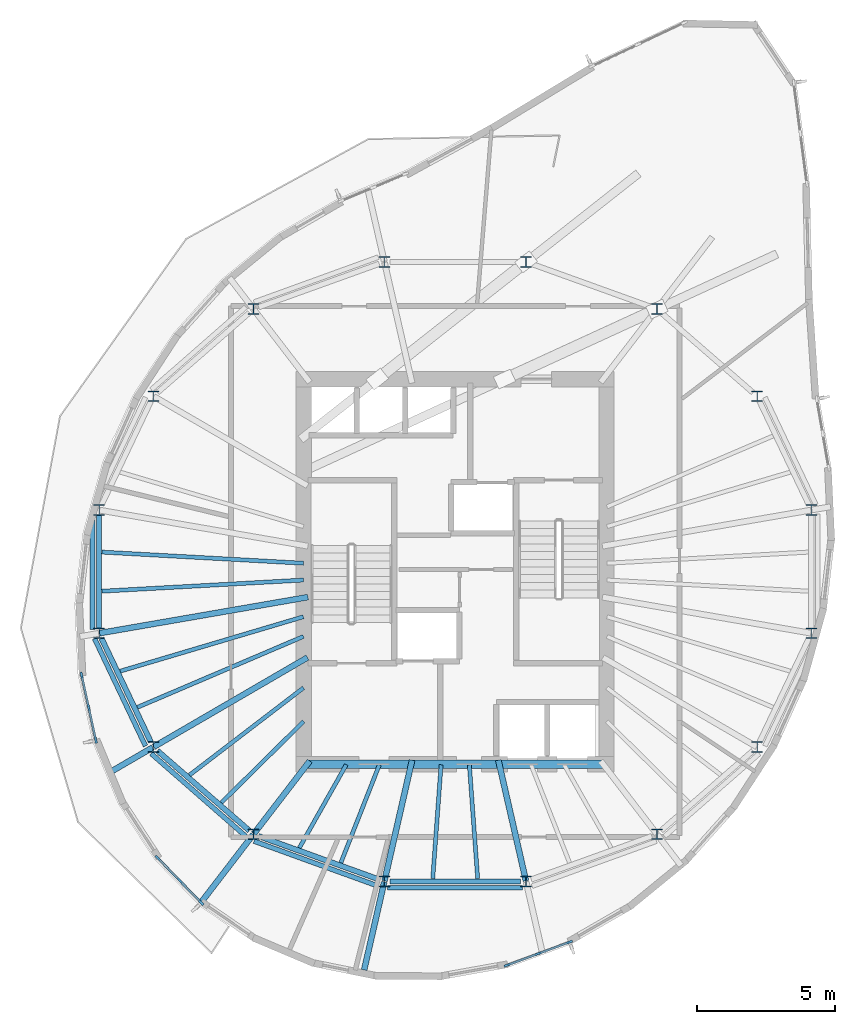
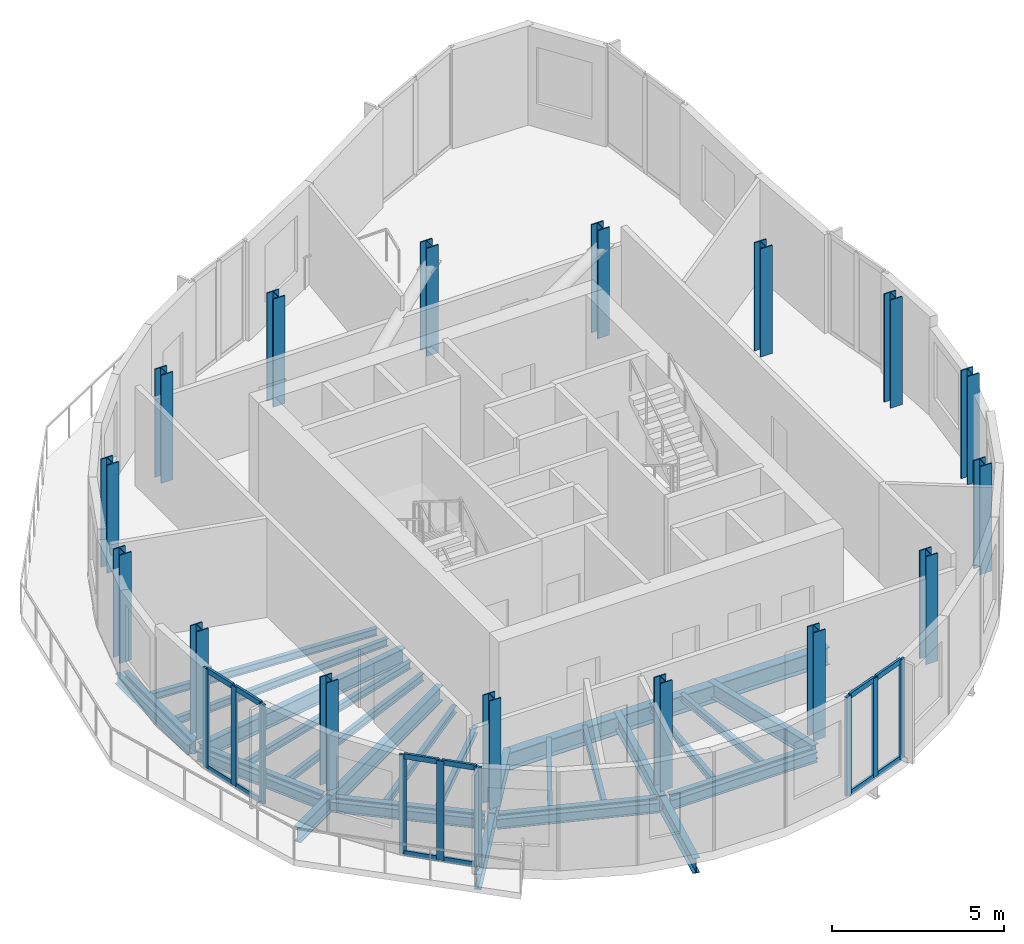
# One storey, part 1 of 8: 29 beams, 21 members, 16 columns, 3 elements without a shape of their own.
"""IFC4 building model written with IfcOpenShell, lengths in metres."""

from ifc_helpers import new_model, si_unit, direction, frame, origin, origin_2d, place, context, subcontext, project, spatial, rectangle, i_section, extrude, material, material_profile, profile_set, type_object, element, aggregate, save


model = new_model("IFC4")

# Units and contexts
model_context = context("Model", 3, precision=1e-05, world=origin(), true_north=direction((0.0, 1.0)))
body_context = subcontext(model_context, "Body", "Model", "MODEL_VIEW")
ifc_project = project(units=[si_unit("LENGTHUNIT", "METRE"), si_unit("AREAUNIT", "SQUARE_METRE"), si_unit("VOLUMEUNIT", "CUBIC_METRE"), si_unit("PLANEANGLEUNIT", "RADIAN"), si_unit("MASSUNIT", "GRAM", prefix="KILO")], contexts=[model_context])

# Site, building, storey
site_placement = place(None, origin())
site = spatial("IfcSite", under=ifc_project, at=site_placement, CompositionType="ELEMENT")
building_placement = place(site_placement, origin())
building = spatial("IfcBuilding", under=site, at=building_placement, Name="Veldorim Arch Residences", CompositionType="ELEMENT")
storey_placement = place(building_placement, frame((0.0, 0.0, 243.0400390625)))
storey = spatial("IfcBuildingStorey", under=building, at=storey_placement, Name="L73", CompositionType="ELEMENT", Elevation=243.0400390625)

# Columns
ifc_material_1 = material(Name="Steel S460", Category="steel")
ifc_material_profile_1 = material_profile(ifc_material_1, i_section(OverallWidth=0.39892578125, OverallDepth=0.3935546875, WebThickness=0.022705078125, FlangeThickness=0.03662109375, at=origin_2d()), Name="UC356x406x287")
ifc_profile_set_1 = profile_set([ifc_material_profile_1], Name="Steel S460")
column_type = type_object("IfcColumnType", Name="Structural Column UC356x406x287", PredefinedType="COLUMN", material=ifc_profile_set_1)
for number, where, z_axis, x_axis, name in (
    (1, (44.9462890625, 26.239501953125, 0.0), (0.0, 0.0, 1.0), (1.0, 0.0, 0.0), "L73 TC-Z4-01 perimeter column"),
    (2, (42.975341796875, 30.3779296875, 0.0), (0.0, 0.0, 1.0), (1.0, 0.0, 0.0), "L73 TC-Z4-02 perimeter column"),
    (3, (39.33349609375, 33.54541015625, 0.0), (0.0, 0.0, 1.0), (1.0, 0.0, 0.0), "L73 TC-Z4-03 perimeter column"),
    (4, (34.5751953125, 35.259521484375, 0.0), (0.0, 0.0, 1.0), (1.0, 0.0, 0.0), "L73 TC-Z4-04 perimeter column"),
    (5, (29.4248046875, 35.259521484375, 0.0), (0.0, 0.0, 1.0), (1.0, 0.0, 0.0), "L73 TC-Z4-05 perimeter column"),
    (6, (24.66650390625, 33.54541015625, 0.0), (0.0, 0.0, 1.0), (1.0, 0.0, 0.0), "L73 TC-Z4-06 perimeter column"),
    (7, (21.024658203125, 30.3779296875, 0.0), (0.0, 0.0, 1.0), (1.0, 0.0, 0.0), "L73 TC-Z4-07 perimeter column"),
    (8, (19.0537109375, 26.239501953125, 0.0), (0.0, 0.0, 1.0), (1.0, 0.0, 0.0), "L73 TC-Z4-08 perimeter column"),
    (9, (19.0537109375, 21.760498046875, 0.0), (0.0, 0.0, 1.0), (1.0, 0.0, 0.0), "L73 TC-Z4-09 perimeter column"),
    (10, (21.024658203125, 17.6220703125, 0.0), (0.0, 0.0, 1.0), (1.0, 0.0, 0.0), "L73 TC-Z4-10 perimeter column"),
    (11, (24.66650390625, 14.45458984375, 0.0), (0.0, 0.0, 1.0), (1.0, 0.0, 0.0), "L73 TC-Z4-11 perimeter column"),
    (12, (29.4248046875, 12.740478515625, 0.0), (0.0, 0.0, 1.0), (1.0, 0.0, 0.0), "L73 TC-Z4-12 perimeter column"),
    (13, (34.5751953125, 12.740478515625, 0.0), (0.0, 0.0, 1.0), (1.0, 0.0, 0.0), "L73 TC-Z4-13 perimeter column"),
    (14, (39.33349609375, 14.45458984375, 0.0), (0.0, 0.0, 1.0), (1.0, 0.0, 0.0), "L73 TC-Z4-14 perimeter column"),
    (15, (42.975341796875, 17.6220703125, 0.0), (0.0, 0.0, 1.0), (1.0, 0.0, 0.0), "L73 TC-Z4-15 perimeter column"),
    (16, (44.9462890625, 21.760498046875, 0.0), (0.0, 0.0, 1.0), (1.0, 0.0, 0.0), "L73 TC-Z4-16 perimeter column"),
):
    element("IfcColumn", number, at=place(storey_placement, frame(where, z_axis=z_axis, x_axis=x_axis)), inside=storey, type_object=column_type, Name=name, PredefinedType="COLUMN", context=body_context, shape_type="SweptSolid", body=[
        extrude(i_section(OverallWidth=0.39892578125, OverallDepth=0.3935546875, WebThickness=0.022705078125, FlangeThickness=0.03662109375, at=origin_2d()), origin(), (0.0, 0.0, 1.0), 3.83984375),
    ])

# Curtain wall, members
ifc_material_2 = material(Name="Aluminium", Category="aluminium")
curtain_wall_type = type_object("IfcCurtainWallType", Name="Sky Lounge & Conservatory Tall Curtain Wall", PredefinedType="NOTDEFINED", material=ifc_material_2)
curtain_wall_1_placement = place(storey_placement, origin())
curtain_wall_1 = element("IfcCurtainWall", 17, at=curtain_wall_1_placement, inside=storey, type_object=curtain_wall_type, Name="L73 unitised curtain wall bay 14", PredefinedType="NOTDEFINED")
ifc_material_3 = material(Name="Aluminium", Category="aluminium")
ifc_material_profile_2 = material_profile(ifc_material_3, rectangle(XDim=0.080078125, YDim=0.219970703125, at=origin_2d()), Name="ALU_MUL_80x220")
ifc_profile_set_2 = profile_set([ifc_material_profile_2], Name="Aluminium")
member_type_1 = type_object("IfcMemberType", Name="Sky Lounge & Conservatory Tall Curtain Wall Mullion 80x220", PredefinedType="MULLION", material=ifc_profile_set_2)
member_1_placement = place(storey_placement, frame((18.935546875, 17.871337890625, 0.0), z_axis=(0.0, 0.0, 1.0), x_axis=(-0.976954735349, -0.21344658601, 0.0)))
member_1 = element("IfcMember", 18, at=member_1_placement, type_object=member_type_1, Name="CW-SKY mullion 1", PredefinedType="MULLION", context=body_context, shape_type="SweptSolid", body=[
    extrude(rectangle(XDim=0.080078125, YDim=0.219970703125, at=origin_2d()), origin(), (0.0, 0.0, 1.0), 3.52001953125),
])
member_2_placement = place(storey_placement, frame((18.67724609375, 19.054443359375, 0.0), z_axis=(0.0, 0.0, 1.0), x_axis=(-0.976954735349, -0.21344658601, 0.0)))
member_2 = element("IfcMember", 19, at=member_2_placement, type_object=member_type_1, Name="CW-SKY mullion 2", PredefinedType="MULLION", context=body_context, shape_type="SweptSolid", body=[
    extrude(rectangle(XDim=0.080078125, YDim=0.219970703125, at=origin_2d()), origin(), (0.0, 0.0, 1.0), 3.52001953125),
])
member_3_placement = place(storey_placement, frame((18.418701171875, 20.23779296875, 0.0), z_axis=(0.0, 0.0, 1.0), x_axis=(-0.976954735349, -0.21344658601, 0.0)))
member_3 = element("IfcMember", 20, at=member_3_placement, type_object=member_type_1, Name="CW-SKY mullion 3", PredefinedType="MULLION", context=body_context, shape_type="SweptSolid", body=[
    extrude(rectangle(XDim=0.080078125, YDim=0.219970703125, at=origin_2d()), origin(), (0.0, 0.0, 1.0), 3.52001953125),
])

curtain_wall_2_placement = place(storey_placement, origin())
curtain_wall_2 = element("IfcCurtainWall", 21, at=curtain_wall_2_placement, inside=storey, type_object=curtain_wall_type, Name="L73 unitised curtain wall bay 17", PredefinedType="NOTDEFINED")
member_4_placement = place(storey_placement, frame((22.7666015625, 11.965087890625, 0.0), z_axis=(0.0, 0.0, 1.0), x_axis=(-0.717028638931, -0.697043708065, 0.0)))
member_4 = element("IfcMember", 22, at=member_4_placement, type_object=member_type_1, Name="CW-SKY mullion 1", PredefinedType="MULLION", context=body_context, shape_type="SweptSolid", body=[
    extrude(rectangle(XDim=0.080078125, YDim=0.219970703125, at=origin_2d()), origin(), (0.0, 0.0, 1.0), 3.52001953125),
])
member_5_placement = place(storey_placement, frame((21.976806640625, 12.77783203125, 0.0), z_axis=(0.0, 0.0, 1.0), x_axis=(-0.717028638931, -0.697043708065, 0.0)))
member_5 = element("IfcMember", 23, at=member_5_placement, type_object=member_type_1, Name="CW-SKY mullion 2", PredefinedType="MULLION", context=body_context, shape_type="SweptSolid", body=[
    extrude(rectangle(XDim=0.080078125, YDim=0.219970703125, at=origin_2d()), origin(), (0.0, 0.0, 1.0), 3.52001953125),
])
member_6_placement = place(storey_placement, frame((21.186767578125, 13.590576171875, 0.0), z_axis=(0.0, 0.0, 1.0), x_axis=(-0.717028638931, -0.697043708065, 0.0)))
member_6 = element("IfcMember", 24, at=member_6_placement, type_object=member_type_1, Name="CW-SKY mullion 3", PredefinedType="MULLION", context=body_context, shape_type="SweptSolid", body=[
    extrude(rectangle(XDim=0.080078125, YDim=0.219970703125, at=origin_2d()), origin(), (0.0, 0.0, 1.0), 3.52001953125),
])

curtain_wall_3_placement = place(storey_placement, origin())
curtain_wall_3 = element("IfcCurtainWall", 25, at=curtain_wall_3_placement, inside=storey, type_object=curtain_wall_type, Name="L73 unitised curtain wall bay 23", PredefinedType="NOTDEFINED")
member_7_placement = place(storey_placement, frame((36.1572265625, 10.5341796875, 0.0), z_axis=(0.0, 0.0, 1.0), x_axis=(0.347169872801, -0.937802260298, 0.0)))
member_7 = element("IfcMember", 26, at=member_7_placement, type_object=member_type_1, Name="CW-SKY mullion 1", PredefinedType="MULLION", context=body_context, shape_type="SweptSolid", body=[
    extrude(rectangle(XDim=0.080078125, YDim=0.219970703125, at=origin_2d()), origin(), (0.0, 0.0, 1.0), 3.52001953125),
])
member_8_placement = place(storey_placement, frame((35.021484375, 10.11376953125, 0.0), z_axis=(0.0, 0.0, 1.0), x_axis=(0.347169872801, -0.937802260298, 0.0)))
member_8 = element("IfcMember", 27, at=member_8_placement, type_object=member_type_1, Name="CW-SKY mullion 2", PredefinedType="MULLION", context=body_context, shape_type="SweptSolid", body=[
    extrude(rectangle(XDim=0.080078125, YDim=0.219970703125, at=origin_2d()), origin(), (0.0, 0.0, 1.0), 3.52001953125),
])
member_9_placement = place(storey_placement, frame((33.885498046875, 9.693359375, 0.0), z_axis=(0.0, 0.0, 1.0), x_axis=(0.347169872801, -0.937802260298, 0.0)))
member_9 = element("IfcMember", 28, at=member_9_placement, type_object=member_type_1, Name="CW-SKY mullion 3", PredefinedType="MULLION", context=body_context, shape_type="SweptSolid", body=[
    extrude(rectangle(XDim=0.080078125, YDim=0.219970703125, at=origin_2d()), origin(), (0.0, 0.0, 1.0), 3.52001953125),
])

# Member
ifc_material_4 = material(Name="Aluminium", Category="aluminium")
ifc_material_profile_3 = material_profile(ifc_material_4, rectangle(XDim=0.080078125, YDim=0.18505859375, at=origin_2d()), Name="ALU_TRN_80x185")
ifc_profile_set_3 = profile_set([ifc_material_profile_3], Name="Aluminium")
member_type_2 = type_object("IfcMemberType", Name="Sky Lounge & Conservatory Tall Curtain Wall Transom 80x185", PredefinedType="USERDEFINED", material=ifc_profile_set_3)
member_10_placement = place(storey_placement, frame((18.92724609375, 17.910400390625, 0.0400390625), z_axis=(-0.213478003555, 0.976947870666, 0.0), x_axis=(-0.976947870666, -0.213478003555, 0.0)))
member_10 = element("IfcMember", 29, at=member_10_placement, type_object=member_type_2, Name="CW-SKY transom 1.1", ObjectType="TRANSOM", PredefinedType="USERDEFINED", context=body_context, shape_type="SweptSolid", body=[
    extrude(rectangle(XDim=0.080078125, YDim=0.18505859375, at=origin_2d()), origin(), (0.0, 0.0, 1.0), 1.131103515625),
])

member_11_placement = place(storey_placement, frame((18.92724609375, 17.910400390625, 3.47998046875), z_axis=(-0.213478003555, 0.976947870666, 0.0), x_axis=(-0.976947870666, -0.213478003555, 0.0)))
member_11 = element("IfcMember", 30, at=member_11_placement, type_object=member_type_2, Name="CW-SKY transom 1.2", ObjectType="TRANSOM", PredefinedType="USERDEFINED", context=body_context, shape_type="SweptSolid", body=[
    extrude(rectangle(XDim=0.080078125, YDim=0.18505859375, at=origin_2d()), origin(), (0.0, 0.0, 1.0), 1.131103515625),
])

member_12_placement = place(storey_placement, frame((18.668701171875, 19.093505859375, 0.0400390625), z_axis=(-0.21343299532, 0.976957704565, 0.0), x_axis=(-0.976957704565, -0.21343299532, 0.0)))
member_12 = element("IfcMember", 31, at=member_12_placement, type_object=member_type_2, Name="CW-SKY transom 2.1", ObjectType="TRANSOM", PredefinedType="USERDEFINED", context=body_context, shape_type="SweptSolid", body=[
    extrude(rectangle(XDim=0.080078125, YDim=0.18505859375, at=origin_2d()), origin(), (0.0, 0.0, 1.0), 1.13134765625),
])

member_13_placement = place(storey_placement, frame((18.668701171875, 19.093505859375, 3.47998046875), z_axis=(-0.21343299532, 0.976957704565, 0.0), x_axis=(-0.976957704565, -0.21343299532, 0.0)))
member_13 = element("IfcMember", 32, at=member_13_placement, type_object=member_type_2, Name="CW-SKY transom 2.2", ObjectType="TRANSOM", PredefinedType="USERDEFINED", context=body_context, shape_type="SweptSolid", body=[
    extrude(rectangle(XDim=0.080078125, YDim=0.18505859375, at=origin_2d()), origin(), (0.0, 0.0, 1.0), 1.13134765625),
])

aggregate(curtain_wall_1, [member_1, member_2, member_3, member_10, member_11, member_12, member_13])

member_14_placement = place(storey_placement, frame((22.73876953125, 11.993896484375, 0.0400390625), z_axis=(-0.696952610826, 0.717117185865, 0.0), x_axis=(-0.717117185865, -0.696952610826, 0.0)))
member_14 = element("IfcMember", 33, at=member_14_placement, type_object=member_type_2, Name="CW-SKY transom 1.1", ObjectType="TRANSOM", PredefinedType="USERDEFINED", context=body_context, shape_type="SweptSolid", body=[
    extrude(rectangle(XDim=0.080078125, YDim=0.18505859375, at=origin_2d()), origin(), (0.0, 0.0, 1.0), 1.05322265625),
])

member_15_placement = place(storey_placement, frame((22.73876953125, 11.993896484375, 3.47998046875), z_axis=(-0.696952610826, 0.717117185865, 0.0), x_axis=(-0.717117185865, -0.696952610826, 0.0)))
member_15 = element("IfcMember", 34, at=member_15_placement, type_object=member_type_2, Name="CW-SKY transom 1.2", ObjectType="TRANSOM", PredefinedType="USERDEFINED", context=body_context, shape_type="SweptSolid", body=[
    extrude(rectangle(XDim=0.080078125, YDim=0.18505859375, at=origin_2d()), origin(), (0.0, 0.0, 1.0), 1.05322265625),
])

member_16_placement = place(storey_placement, frame((21.94873046875, 12.806640625, 0.0400390625), z_axis=(-0.697068462226, 0.717004573883, 0.0), x_axis=(-0.717004573883, -0.697068462226, 0.0)))
member_16 = element("IfcMember", 35, at=member_16_placement, type_object=member_type_2, Name="CW-SKY transom 2.1", ObjectType="TRANSOM", PredefinedType="USERDEFINED", context=body_context, shape_type="SweptSolid", body=[
    extrude(rectangle(XDim=0.080078125, YDim=0.18505859375, at=origin_2d()), origin(), (0.0, 0.0, 1.0), 1.05322265625),
])

member_17_placement = place(storey_placement, frame((21.94873046875, 12.806640625, 3.47998046875), z_axis=(-0.697068462226, 0.717004573883, 0.0), x_axis=(-0.717004573883, -0.697068462226, 0.0)))
member_17 = element("IfcMember", 36, at=member_17_placement, type_object=member_type_2, Name="CW-SKY transom 2.2", ObjectType="TRANSOM", PredefinedType="USERDEFINED", context=body_context, shape_type="SweptSolid", body=[
    extrude(rectangle(XDim=0.080078125, YDim=0.18505859375, at=origin_2d()), origin(), (0.0, 0.0, 1.0), 1.05322265625),
])

aggregate(curtain_wall_2, [member_4, member_5, member_6, member_14, member_15, member_16, member_17])

member_18_placement = place(storey_placement, frame((36.11962890625, 10.520263671875, 0.0400390625), z_axis=(-0.937837254479, -0.34707532916, 0.0), x_axis=(0.34707532916, -0.937837254479, 0.0)))
member_18 = element("IfcMember", 37, at=member_18_placement, type_object=member_type_2, Name="CW-SKY transom 1.1", ObjectType="TRANSOM", PredefinedType="USERDEFINED", context=body_context, shape_type="SweptSolid", body=[
    extrude(rectangle(XDim=0.080078125, YDim=0.18505859375, at=origin_2d()), origin(), (0.0, 0.0, 1.0), 1.131103515625),
])

member_19_placement = place(storey_placement, frame((36.11962890625, 10.520263671875, 3.47998046875), z_axis=(-0.937837254479, -0.34707532916, 0.0), x_axis=(0.34707532916, -0.937837254479, 0.0)))
member_19 = element("IfcMember", 38, at=member_19_placement, type_object=member_type_2, Name="CW-SKY transom 1.2", ObjectType="TRANSOM", PredefinedType="USERDEFINED", context=body_context, shape_type="SweptSolid", body=[
    extrude(rectangle(XDim=0.080078125, YDim=0.18505859375, at=origin_2d()), origin(), (0.0, 0.0, 1.0), 1.131103515625),
])

member_20_placement = place(storey_placement, frame((34.98388671875, 10.099853515625, 0.0400390625), z_axis=(-0.937837254479, -0.34707532916, 0.0), x_axis=(0.34707532916, -0.937837254479, 0.0)))
member_20 = element("IfcMember", 39, at=member_20_placement, type_object=member_type_2, Name="CW-SKY transom 2.1", ObjectType="TRANSOM", PredefinedType="USERDEFINED", context=body_context, shape_type="SweptSolid", body=[
    extrude(rectangle(XDim=0.080078125, YDim=0.18505859375, at=origin_2d()), origin(), (0.0, 0.0, 1.0), 1.131103515625),
])

member_21_placement = place(storey_placement, frame((34.98388671875, 10.099853515625, 3.47998046875), z_axis=(-0.937837254479, -0.34707532916, 0.0), x_axis=(0.34707532916, -0.937837254479, 0.0)))
member_21 = element("IfcMember", 40, at=member_21_placement, type_object=member_type_2, Name="CW-SKY transom 2.2", ObjectType="TRANSOM", PredefinedType="USERDEFINED", context=body_context, shape_type="SweptSolid", body=[
    extrude(rectangle(XDim=0.080078125, YDim=0.18505859375, at=origin_2d()), origin(), (0.0, 0.0, 1.0), 1.131103515625),
])

aggregate(curtain_wall_3, [member_7, member_8, member_9, member_18, member_19, member_20, member_21])

# Beams
ifc_material_5 = material(Name="Steel S355", Category="steel")
ifc_material_profile_4 = material_profile(ifc_material_5, i_section(OverallWidth=0.2119140625, OverallDepth=0.54443359375, WebThickness=0.0126953125, FlangeThickness=0.021240234375, at=origin_2d()), Name="UB533x210x122")
ifc_profile_set_4 = profile_set([ifc_material_profile_4], Name="Steel S355")
beam_type_1 = type_object("IfcBeamType", Name="Structural Steel Beam UB533x210x122", PredefinedType="BEAM", material=ifc_profile_set_4)
beam_1_placement = place(storey_placement, frame((26.647705078125, 23.07421875, -0.59228515625), z_axis=(-0.985364974081, -0.170457818401, 0.0), x_axis=(0.170457818401, -0.985364974081, 0.0)))
element("IfcBeam", 41, at=beam_1_placement, inside=storey, type_object=beam_type_1, Name="L73 radial floor girder 09", PredefinedType="BEAM", context=body_context, shape_type="SweptSolid", body=[
    extrude(i_section(OverallWidth=0.2119140625, OverallDepth=0.54443359375, WebThickness=0.0126953125, FlangeThickness=0.021240234375, at=origin_2d()), origin(), (0.0, 0.0, 1.0), 7.68701171875),
])
beam_2_placement = place(storey_placement, frame((26.629638671875, 20.87939453125, -0.59228515625), z_axis=(-0.864595736304, -0.502468121142, 0.0), x_axis=(0.502468121142, -0.864595736304, 0.0)))
element("IfcBeam", 42, at=beam_2_placement, inside=storey, type_object=beam_type_1, Name="L73 radial floor girder 10", PredefinedType="BEAM", context=body_context, shape_type="SweptSolid", body=[
    extrude(i_section(OverallWidth=0.2119140625, OverallDepth=0.54443359375, WebThickness=0.0126953125, FlangeThickness=0.021240234375, at=origin_2d()), origin(), (0.0, 0.0, 1.0), 6.462646484375),
])
beam_3_placement = place(storey_placement, frame((21.00732421875, 17.612060546875, -0.59228515625), z_axis=(-0.864620527987, -0.502425459729, 0.0), x_axis=(0.502425459729, -0.864620527987, 0.0)))
element("IfcBeam", 43, at=beam_3_placement, inside=storey, type_object=beam_type_1, Name="L73 radial edge cantilever girder 10", PredefinedType="BEAM", context=body_context, shape_type="SweptSolid", body=[
    extrude(i_section(OverallWidth=0.2119140625, OverallDepth=0.54443359375, WebThickness=0.0126953125, FlangeThickness=0.021240234375, at=origin_2d()), origin(), (0.0, 0.0, 1.0), 1.828125),
])
beam_4_placement = place(storey_placement, frame((26.71337890625, 17.118896484375, -0.59228515625), z_axis=(-0.609258442308, -0.792971721108, 0.0), x_axis=(0.792971721108, -0.609258442308, 0.0)))
element("IfcBeam", 44, at=beam_4_placement, inside=storey, type_object=beam_type_1, Name="L73 radial floor girder 11", PredefinedType="BEAM", context=body_context, shape_type="SweptSolid", body=[
    extrude(i_section(OverallWidth=0.2119140625, OverallDepth=0.54443359375, WebThickness=0.0126953125, FlangeThickness=0.021240234375, at=origin_2d()), origin(), (0.0, 0.0, 1.0), 3.339599609375),
])
beam_5_placement = place(storey_placement, frame((24.654296875, 14.438720703125, -0.59228515625), z_axis=(-0.609231230532, -0.7929926278, 0.0), x_axis=(0.7929926278, -0.609231230532, 0.0)))
element("IfcBeam", 45, at=beam_5_placement, inside=storey, type_object=beam_type_1, Name="L73 radial edge cantilever girder 11", PredefinedType="BEAM", context=body_context, shape_type="SweptSolid", body=[
    extrude(i_section(OverallWidth=0.2119140625, OverallDepth=0.54443359375, WebThickness=0.0126953125, FlangeThickness=0.021240234375, at=origin_2d()), origin(), (0.0, 0.0, 1.0), 3.100830078125),
])
beam_6_placement = place(storey_placement, frame((30.432373046875, 17.146240234375, -0.59228515625), z_axis=(-0.222952976993, -0.97482920045, 0.0), x_axis=(0.97482920045, -0.222952976993, 0.0)))
element("IfcBeam", 46, at=beam_6_placement, inside=storey, type_object=beam_type_1, Name="L73 radial floor girder 12", PredefinedType="BEAM", context=body_context, shape_type="SweptSolid", body=[
    extrude(i_section(OverallWidth=0.2119140625, OverallDepth=0.54443359375, WebThickness=0.0126953125, FlangeThickness=0.021240234375, at=origin_2d()), origin(), (0.0, 0.0, 1.0), 4.49951171875),
])
beam_7_placement = place(storey_placement, frame((29.42041015625, 12.72119140625, -0.59228515625), z_axis=(-0.222994562623, -0.974819688476, 0.0), x_axis=(0.974819688476, -0.222994562623, 0.0)))
element("IfcBeam", 47, at=beam_7_placement, inside=storey, type_object=beam_type_1, Name="L73 radial edge cantilever girder 12", PredefinedType="BEAM", context=body_context, shape_type="SweptSolid", body=[
    extrude(i_section(OverallWidth=0.2119140625, OverallDepth=0.54443359375, WebThickness=0.0126953125, FlangeThickness=0.021240234375, at=origin_2d()), origin(), (0.0, 0.0, 1.0), 3.280029296875),
])
beam_8_placement = place(storey_placement, frame((33.567626953125, 17.146240234375, -0.59228515625), z_axis=(0.222952976993, -0.97482920045, 0.0), x_axis=(0.97482920045, 0.222952976993, 0.0)))
element("IfcBeam", 48, at=beam_8_placement, inside=storey, type_object=beam_type_1, Name="L73 radial floor girder 13", PredefinedType="BEAM", context=body_context, shape_type="SweptSolid", body=[
    extrude(i_section(OverallWidth=0.2119140625, OverallDepth=0.54443359375, WebThickness=0.0126953125, FlangeThickness=0.021240234375, at=origin_2d()), origin(), (0.0, 0.0, 1.0), 4.49951171875),
])
ifc_material_6 = material(Name="Steel S355", Category="steel")
ifc_material_profile_5 = material_profile(ifc_material_6, i_section(OverallWidth=0.30712890625, OverallDepth=0.6201171875, WebThickness=0.01416015625, FlangeThickness=0.023681640625, at=origin_2d()), Name="UB610x305x179")
ifc_profile_set_5 = profile_set([ifc_material_profile_5], Name="Steel S355")
beam_type_2 = type_object("IfcBeamType", Name="Structural Steel Beam UB610x305x179", PredefinedType="BEAM", material=ifc_profile_set_5)
beam_9_placement = place(storey_placement, frame((26.60009765625, 17.0, -0.64013671875), z_axis=(1.0, 0.0, 0.0), x_axis=(0.0, 1.0, 0.0)))
element("IfcBeam", 49, at=beam_9_placement, inside=storey, type_object=beam_type_2, Name="Observation prow truss 1 core anchor bottom girder", PredefinedType="BEAM", context=body_context, shape_type="SweptSolid", body=[
    extrude(i_section(OverallWidth=0.30712890625, OverallDepth=0.6201171875, WebThickness=0.01416015625, FlangeThickness=0.023681640625, at=origin_2d()), origin(), (0.0, 0.0, 1.0), 10.7998046875),
])
ifc_material_7 = material(Name="Steel S355", Category="steel")
ifc_material_profile_6 = material_profile(ifc_material_7, i_section(OverallWidth=0.146484375, OverallDepth=0.256103515625, WebThickness=0.00634765625, FlangeThickness=0.010986328125, at=origin_2d()), Name="UB254x146x37")
ifc_profile_set_6 = profile_set([ifc_material_profile_6], Name="Steel S355")
beam_type_3 = type_object("IfcBeamType", Name="Structural Steel Joist UB254x146x37", PredefinedType="JOIST", material=ifc_profile_set_6)
for number, where, z_axis, x_axis, name in (
    (50, (26.47998046875, 24.3056640625, -0.447998046875), (-0.998472000884, 0.055259962464, 0.0), (-0.055259962464, -0.998472000884, 0.0), "L73 secondary radial floor joist 08-1"),
    (51, (26.47998046875, 23.6943359375, -0.447998046875), (-0.998472000884, -0.055259962464, 0.0), (0.055259962464, -0.998472000884, 0.0), "L73 secondary radial floor joist 08-2"),
):
    element("IfcBeam", number, at=place(storey_placement, frame(where, z_axis=z_axis, x_axis=x_axis)), inside=storey, type_object=beam_type_3, Name=name, PredefinedType="JOIST", context=body_context, shape_type="SweptSolid", body=[
        extrude(i_section(OverallWidth=0.146484375, OverallDepth=0.256103515625, WebThickness=0.00634765625, FlangeThickness=0.010986328125, at=origin_2d()), origin(), (0.0, 0.0, 1.0), 7.33837890625),
    ])
beam_10_placement = place(storey_placement, frame((26.480712890625, 22.360595703125, -0.447998046875), z_axis=(-0.958594432792, -0.284774846889, 0.0), x_axis=(0.284774846889, -0.958594432792, 0.0)))
element("IfcBeam", 52, at=beam_10_placement, inside=storey, type_object=beam_type_3, Name="L73 secondary radial floor joist 09-1", PredefinedType="JOIST", context=body_context, shape_type="SweptSolid", body=[
    extrude(i_section(OverallWidth=0.146484375, OverallDepth=0.256103515625, WebThickness=0.00634765625, FlangeThickness=0.010986328125, at=origin_2d()), origin(), (0.0, 0.0, 1.0), 6.949462890625),
])
beam_11_placement = place(storey_placement, frame((26.481689453125, 21.644287109375, -0.447998046875), z_axis=(-0.919725161652, -0.392562895629, 0.0), x_axis=(0.392562895629, -0.919725161652, 0.0)))
element("IfcBeam", 53, at=beam_11_placement, inside=storey, type_object=beam_type_3, Name="L73 secondary radial floor joist 09-2", PredefinedType="JOIST", context=body_context, shape_type="SweptSolid", body=[
    extrude(i_section(OverallWidth=0.146484375, OverallDepth=0.256103515625, WebThickness=0.00634765625, FlangeThickness=0.010986328125, at=origin_2d()), origin(), (0.0, 0.0, 1.0), 6.5625),
])
beam_12_placement = place(storey_placement, frame((26.484130859375, 19.777099609375, -0.447998046875), z_axis=(-0.794013672216, -0.607899899929, 0.0), x_axis=(0.607899899929, -0.794013672216, 0.0)))
element("IfcBeam", 54, at=beam_12_placement, inside=storey, type_object=beam_type_3, Name="L73 secondary radial floor joist 10-1", PredefinedType="JOIST", context=body_context, shape_type="SweptSolid", body=[
    extrude(i_section(OverallWidth=0.146484375, OverallDepth=0.256103515625, WebThickness=0.00634765625, FlangeThickness=0.010986328125, at=origin_2d()), origin(), (0.0, 0.0, 1.0), 5.217041015625),
])
beam_13_placement = place(storey_placement, frame((26.48583984375, 18.55224609375, -0.447998046875), z_axis=(-0.711396725432, -0.702790650937, 0.0), x_axis=(0.702790650937, -0.711396725432, 0.0)))
element("IfcBeam", 55, at=beam_13_placement, inside=storey, type_object=beam_type_3, Name="L73 secondary radial floor joist 10-2", PredefinedType="JOIST", context=body_context, shape_type="SweptSolid", body=[
    extrude(i_section(OverallWidth=0.146484375, OverallDepth=0.256103515625, WebThickness=0.00634765625, FlangeThickness=0.010986328125, at=origin_2d()), origin(), (0.0, 0.0, 1.0), 4.198486328125),
])
beam_14_placement = place(storey_placement, frame((28.039794921875, 16.982666015625, -0.447998046875), z_axis=(-0.491452469585, -0.870904397818, 0.0), x_axis=(0.870904397818, -0.491452469585, 0.0)))
element("IfcBeam", 56, at=beam_14_placement, inside=storey, type_object=beam_type_3, Name="L73 secondary radial floor joist 11-1", PredefinedType="JOIST", context=body_context, shape_type="SweptSolid", body=[
    extrude(i_section(OverallWidth=0.146484375, OverallDepth=0.256103515625, WebThickness=0.00634765625, FlangeThickness=0.010986328125, at=origin_2d()), origin(), (0.0, 0.0, 1.0), 3.472412109375),
])
beam_15_placement = place(storey_placement, frame((29.24365234375, 16.9814453125, -0.447998046875), z_axis=(-0.365581383042, -0.930779379001, 0.0), x_axis=(0.930779379001, -0.365581383042, 0.0)))
element("IfcBeam", 57, at=beam_15_placement, inside=storey, type_object=beam_type_3, Name="L73 secondary radial floor joist 11-2", PredefinedType="JOIST", context=body_context, shape_type="SweptSolid", body=[
    extrude(i_section(OverallWidth=0.146484375, OverallDepth=0.256103515625, WebThickness=0.00634765625, FlangeThickness=0.010986328125, at=origin_2d()), origin(), (0.0, 0.0, 1.0), 3.83056640625),
])
for number, where, z_axis, x_axis, name in (
    (58, (31.486083984375, 16.97998046875, -0.447998046875), (-0.072985625899, -0.997332992742, 0.0), (0.997332992742, -0.072985625899, 0.0), "L73 secondary radial floor joist 12-1"),
    (59, (32.513916015625, 16.97998046875, -0.447998046875), (0.072985625899, -0.997332992742, 0.0), (0.997332992742, 0.072985625899, 0.0), "L73 secondary radial floor joist 12-2"),
):
    element("IfcBeam", number, at=place(storey_placement, frame(where, z_axis=z_axis, x_axis=x_axis)), inside=storey, type_object=beam_type_3, Name=name, PredefinedType="JOIST", context=body_context, shape_type="SweptSolid", body=[
        extrude(i_section(OverallWidth=0.146484375, OverallDepth=0.256103515625, WebThickness=0.00634765625, FlangeThickness=0.010986328125, at=origin_2d()), origin(), (0.0, 0.0, 1.0), 4.151123046875),
    ])
ifc_material_8 = material(Name="Steel S355", Category="steel")
ifc_material_profile_7 = material_profile(ifc_material_8, i_section(OverallWidth=0.172119140625, OverallDepth=0.35791015625, WebThickness=0.008056640625, FlangeThickness=0.012939453125, at=origin_2d()), Name="UB356x171x57")
ifc_profile_set_7 = profile_set([ifc_material_profile_7], Name="Steel S355")
beam_type_4 = type_object("IfcBeamType", Name="Structural Steel Spandrel UB356x171x57", PredefinedType="SPANDREL", material=ifc_profile_set_7)
beam_16_placement = place(storey_placement, frame((18.817138671875, 26.10498046875, -0.51904296875), z_axis=(0.0, -1.0, 0.0), x_axis=(1.0, 0.0, 0.0)))
element("IfcBeam", 60, at=beam_16_placement, inside=storey, type_object=beam_type_4, Name="L73 perimeter chord spandrel beam 08", PredefinedType="SPANDREL", context=body_context, shape_type="SweptSolid", body=[
    extrude(i_section(OverallWidth=0.172119140625, OverallDepth=0.35791015625, WebThickness=0.008056640625, FlangeThickness=0.012939453125, at=origin_2d()), origin(), (0.0, 0.0, 1.0), 4.2099609375),
])
beam_17_placement = place(storey_placement, frame((18.892333984375, 21.560791015625, -0.51904296875), z_axis=(0.428453398876, -0.903563879862, 0.0), x_axis=(0.903563879862, 0.428453398876, 0.0)))
element("IfcBeam", 61, at=beam_17_placement, inside=storey, type_object=beam_type_4, Name="L73 perimeter chord spandrel beam 09", PredefinedType="SPANDREL", context=body_context, shape_type="SweptSolid", body=[
    extrude(i_section(OverallWidth=0.172119140625, OverallDepth=0.35791015625, WebThickness=0.008056640625, FlangeThickness=0.012939453125, at=origin_2d()), origin(), (0.0, 0.0, 1.0), 4.31689453125),
])
beam_18_placement = place(storey_placement, frame((20.94921875, 17.385986328125, -0.51904296875), z_axis=(0.752901089301, -0.658133686821, 0.0), x_axis=(0.658133686821, 0.752901089301, 0.0)))
element("IfcBeam", 62, at=beam_18_placement, inside=storey, type_object=beam_type_4, Name="L73 perimeter chord spandrel beam 10", PredefinedType="SPANDREL", context=body_context, shape_type="SweptSolid", body=[
    extrude(i_section(OverallWidth=0.172119140625, OverallDepth=0.35791015625, WebThickness=0.008056640625, FlangeThickness=0.012939453125, at=origin_2d()), origin(), (0.0, 0.0, 1.0), 4.567626953125),
])
beam_19_placement = place(storey_placement, frame((24.685302734375, 14.20458984375, -0.51904296875), z_axis=(0.940181197783, -0.340674794099, 0.0), x_axis=(0.340674794099, 0.940181197783, 0.0)))
element("IfcBeam", 63, at=beam_19_placement, inside=storey, type_object=beam_type_4, Name="L73 perimeter chord spandrel beam 11", PredefinedType="SPANDREL", context=body_context, shape_type="SweptSolid", body=[
    extrude(i_section(OverallWidth=0.172119140625, OverallDepth=0.35791015625, WebThickness=0.008056640625, FlangeThickness=0.012939453125, at=origin_2d()), origin(), (0.0, 0.0, 1.0), 4.80859375),
])
beam_20_placement = place(storey_placement, frame((29.546875, 12.506591796875, -0.51904296875), z_axis=(1.0, 0.0, 0.0), x_axis=(0.0, 1.0, 0.0)))
element("IfcBeam", 64, at=beam_20_placement, inside=storey, type_object=beam_type_4, Name="L73 perimeter chord spandrel beam 12", PredefinedType="SPANDREL", context=body_context, shape_type="SweptSolid", body=[
    extrude(i_section(OverallWidth=0.172119140625, OverallDepth=0.35791015625, WebThickness=0.008056640625, FlangeThickness=0.012939453125, at=origin_2d()), origin(), (0.0, 0.0, 1.0), 4.90625),
])
ifc_material_9 = material(Name="Steel S355", Category="steel")
ifc_material_profile_8 = material_profile(ifc_material_9, i_section(OverallWidth=0.19140625, OverallDepth=0.4599609375, WebThickness=0.010009765625, FlangeThickness=0.01611328125, at=origin_2d()), Name="UB457x191x82")
ifc_profile_set_8 = profile_set([ifc_material_profile_8], Name="Steel S355")
beam_type_5 = type_object("IfcBeamType", Name="Structural Steel Spandrel UB457x191x82", PredefinedType="SPANDREL", material=ifc_profile_set_8)
beam_21_placement = place(storey_placement, frame((19.0537109375, 26.0400390625, -0.550048828125), z_axis=(0.0, -1.0, 0.0), x_axis=(1.0, 0.0, 0.0)))
element("IfcBeam", 65, at=beam_21_placement, inside=storey, type_object=beam_type_5, Name="L73 perimeter ring tie beam 08", PredefinedType="SPANDREL", context=body_context, shape_type="SweptSolid", body=[
    extrude(i_section(OverallWidth=0.19140625, OverallDepth=0.4599609375, WebThickness=0.010009765625, FlangeThickness=0.01611328125, at=origin_2d()), origin(), (0.0, 0.0, 1.0), 4.080078125),
])
beam_22_placement = place(storey_placement, frame((19.139404296875, 21.580322265625, -0.550048828125), z_axis=(0.42997887291, -0.902838949564, 0.0), x_axis=(0.902838949564, 0.42997887291, 0.0)))
element("IfcBeam", 66, at=beam_22_placement, inside=storey, type_object=beam_type_5, Name="L73 perimeter ring tie beam 09", PredefinedType="SPANDREL", context=body_context, shape_type="SweptSolid", body=[
    extrude(i_section(OverallWidth=0.19140625, OverallDepth=0.4599609375, WebThickness=0.010009765625, FlangeThickness=0.01611328125, at=origin_2d()), origin(), (0.0, 0.0, 1.0), 4.1845703125),
])
beam_23_placement = place(storey_placement, frame((21.175048828125, 17.4912109375, -0.550048828125), z_axis=(0.754578219063, -0.656210112171, 0.0), x_axis=(0.656210112171, 0.754578219063, 0.0)))
element("IfcBeam", 67, at=beam_23_placement, inside=storey, type_object=beam_type_5, Name="L73 perimeter ring tie beam 10", PredefinedType="SPANDREL", context=body_context, shape_type="SweptSolid", body=[
    extrude(i_section(OverallWidth=0.19140625, OverallDepth=0.4599609375, WebThickness=0.010009765625, FlangeThickness=0.01611328125, at=origin_2d()), origin(), (0.0, 0.0, 1.0), 4.427734375),
])
beam_24_placement = place(storey_placement, frame((24.854248046875, 14.38720703125, -0.550048828125), z_axis=(0.940799194754, -0.338964415757, 0.0), x_axis=(0.338964415757, 0.940799194754, 0.0)))
element("IfcBeam", 68, at=beam_24_placement, inside=storey, type_object=beam_type_5, Name="L73 perimeter ring tie beam 11", PredefinedType="SPANDREL", context=body_context, shape_type="SweptSolid", body=[
    extrude(i_section(OverallWidth=0.19140625, OverallDepth=0.4599609375, WebThickness=0.010009765625, FlangeThickness=0.01611328125, at=origin_2d()), origin(), (0.0, 0.0, 1.0), 4.65869140625),
])
beam_25_placement = place(storey_placement, frame((29.624267578125, 12.740478515625, -0.550048828125), z_axis=(1.0, 0.0, 0.0), x_axis=(0.0, 1.0, 0.0)))
element("IfcBeam", 69, at=beam_25_placement, inside=storey, type_object=beam_type_5, Name="L73 perimeter ring tie beam 12", PredefinedType="SPANDREL", context=body_context, shape_type="SweptSolid", body=[
    extrude(i_section(OverallWidth=0.19140625, OverallDepth=0.4599609375, WebThickness=0.010009765625, FlangeThickness=0.01611328125, at=origin_2d()), origin(), (0.0, 0.0, 1.0), 4.75146484375),
])

save(model, "model.ifc")
